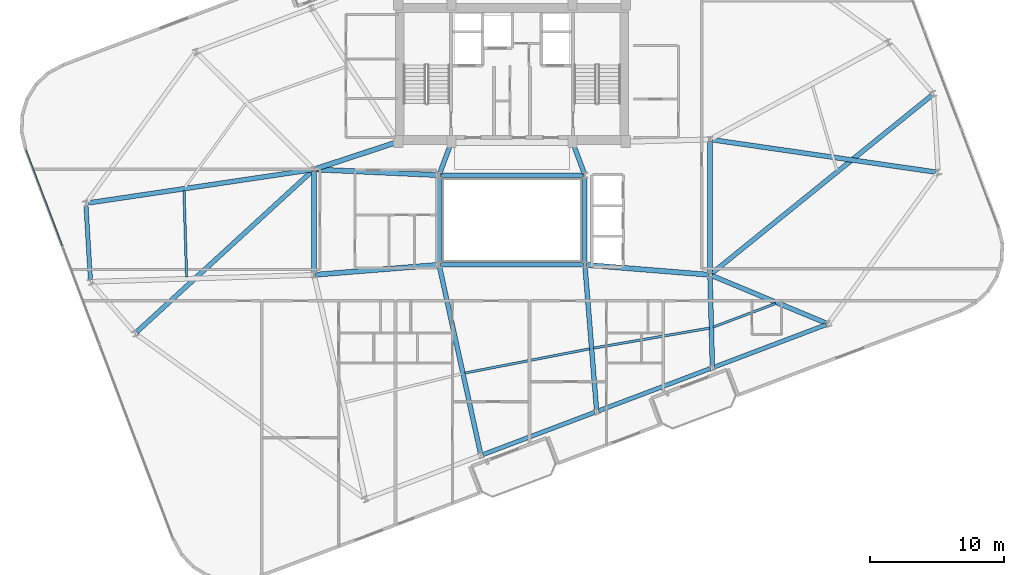
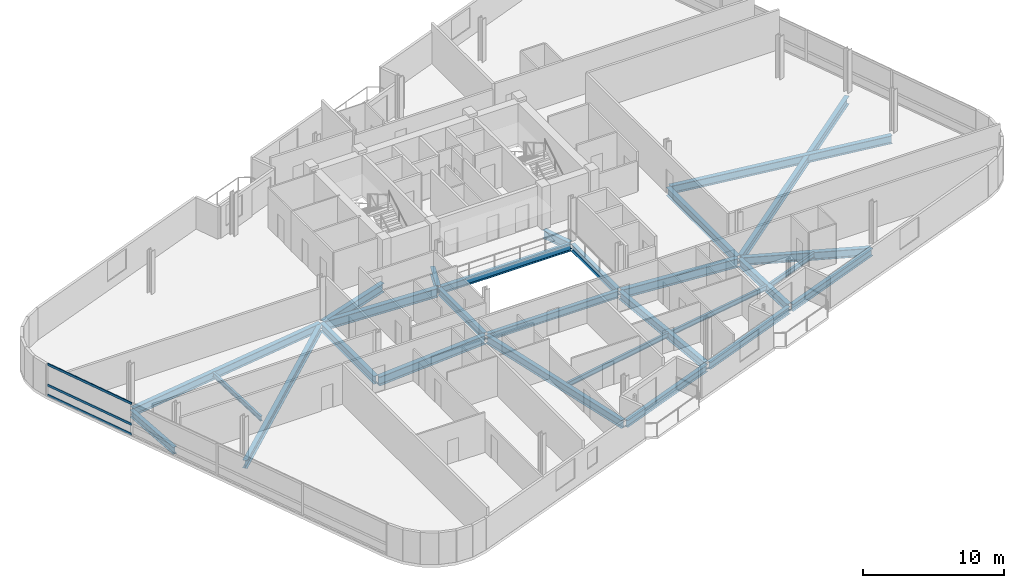
# One storey, part 7 of 20: 28 beams, 3 members, 1 element without a shape of its own.
"""IFC4 building model written with IfcOpenShell, lengths in metres."""

from ifc_helpers import new_model, si_unit, direction, frame, origin, origin_2d, place, context, subcontext, project, spatial, hollow_rectangle, i_section, extrude, material, layer, layer_set, material_profile, profile_set, type_object, element, aggregate, save


model = new_model("IFC4")

# Units and contexts
model_context = context("Model", 3, precision=1e-05, world=origin(), true_north=direction((0.0, 1.0)))
body_context = subcontext(model_context, "Body", "Model", "MODEL_VIEW")
ifc_project = project(units=[si_unit("LENGTHUNIT", "METRE"), si_unit("AREAUNIT", "SQUARE_METRE"), si_unit("VOLUMEUNIT", "CUBIC_METRE"), si_unit("PLANEANGLEUNIT", "RADIAN"), si_unit("MASSUNIT", "GRAM", prefix="KILO")], contexts=[model_context])

# Site, building, storey
site_placement = place(None, origin())
site = spatial("IfcSite", under=ifc_project, at=site_placement, CompositionType="ELEMENT")
building_placement = place(site_placement, origin())
building = spatial("IfcBuilding", under=site, at=building_placement, Name="Varnelok Gate Tower", CompositionType="ELEMENT")
storey_placement = place(building_placement, frame((0.0, 0.0, 220.10009765625)))
storey = spatial("IfcBuildingStorey", under=building, at=storey_placement, Name="L56", CompositionType="ELEMENT", Elevation=220.10009765625)

# Beams
ifc_material_1 = material(Name="Structural Steel ASTM A992 Grade 50", Category="steel")
ifc_material_profile_1 = material_profile(ifc_material_1, i_section(OverallWidth=0.180908203125, OverallDepth=0.4169921875, WebThickness=0.010986328125, FlangeThickness=0.018310546875, FilletRadius=0.013916015625, at=origin_2d()), Name="W16X57")
ifc_profile_set_1 = profile_set([ifc_material_profile_1], Name="Structural Steel ASTM A992 Grade 50")
beam_type_1 = type_object("IfcBeamType", Name="BM-JST-W16X57", PredefinedType="JOIST", material=ifc_profile_set_1)
beam_1_placement = place(storey_placement, frame((35.67138671875, 11.4560546875, -0.45849609375), z_axis=(0.981683548434, 0.190518793651, 0.0), x_axis=(-0.190518793651, 0.981683548434, 0.0)))
element("IfcBeam", 1, at=beam_1_placement, inside=storey, type_object=beam_type_1, Name="L56 Sector Floor Joist 2", PredefinedType="JOIST", context=body_context, shape_type="SweptSolid", body=[
    extrude(i_section(OverallWidth=0.180908203125, OverallDepth=0.4169921875, WebThickness=0.010986328125, FlangeThickness=0.018310546875, FilletRadius=0.013916015625, at=origin_2d()), origin(), (0.0, 0.0, 1.0), 9.517333984375),
])
beam_2_placement = place(storey_placement, frame((45.289794921875, 13.31982421875, -0.45849609375), z_axis=(0.985440255027, 0.170022068484, 0.0), x_axis=(-0.170022068484, 0.985440255027, 0.0)))
element("IfcBeam", 2, at=beam_2_placement, inside=storey, type_object=beam_type_1, Name="L56 Sector Floor Joist 3", PredefinedType="JOIST", context=body_context, shape_type="SweptSolid", body=[
    extrude(i_section(OverallWidth=0.180908203125, OverallDepth=0.4169921875, WebThickness=0.010986328125, FlangeThickness=0.018310546875, FilletRadius=0.013916015625, at=origin_2d()), origin(), (0.0, 0.0, 1.0), 8.8037109375),
])
beam_3_placement = place(storey_placement, frame((54.234375, 14.889892578125, -0.45849609375), z_axis=(0.935207052986, 0.354101352786, 0.0), x_axis=(-0.354101352786, 0.935207052986, 0.0)))
element("IfcBeam", 3, at=beam_3_placement, inside=storey, type_object=beam_type_1, Name="L56 Sector Floor Joist 4", PredefinedType="JOIST", context=body_context, shape_type="SweptSolid", body=[
    extrude(i_section(OverallWidth=0.180908203125, OverallDepth=0.4169921875, WebThickness=0.010986328125, FlangeThickness=0.018310546875, FilletRadius=0.013916015625, at=origin_2d()), origin(), (0.0, 0.0, 1.0), 4.992431640625),
])
beam_4_placement = place(storey_placement, frame((14.6826171875, 25.095947265625, -0.45849609375), z_axis=(0.029614672616, -0.999561389393, 0.0), x_axis=(0.999561389393, 0.029614672616, 0.0)))
element("IfcBeam", 4, at=beam_4_placement, inside=storey, type_object=beam_type_1, Name="L56 Sector Floor Joist 11", PredefinedType="JOIST", context=body_context, shape_type="SweptSolid", body=[
    extrude(i_section(OverallWidth=0.180908203125, OverallDepth=0.4169921875, WebThickness=0.010986328125, FlangeThickness=0.018310546875, FilletRadius=0.013916015625, at=origin_2d()), origin(), (0.0, 0.0, 1.0), 6.455078125),
])
ifc_material_profile_2 = material_profile(ifc_material_1, i_section(OverallWidth=0.35498046875, OverallDepth=0.696044921875, WebThickness=0.015380859375, FlangeThickness=0.02490234375, FilletRadius=0.02001953125, at=origin_2d()), Name="W27X146")
ifc_profile_set_2 = profile_set([ifc_material_profile_2], Name="Structural Steel ASTM A992 Grade 50")
beam_type_2 = type_object("IfcBeamType", Name="BM-PRI-W27X146", PredefinedType="BEAM", material=ifc_profile_set_2)
for number, where, z_axis, x_axis, name in (
    (5, (33.791748046875, 26.362548828125, -0.59814453125), (0.348719329408, 0.937227202602, 0.0), (-0.937227202602, 0.348719329408, 0.0), "L56 Core-Atrium Spine Beam 12"),
    (6, (44.608154296875, 26.362548828125, -0.59814453125), (-0.348719329408, 0.937227202602, 0.0), (-0.937227202602, -0.348719329408, 0.0), "L56 Core-Atrium Spine Beam 13"),
):
    element("IfcBeam", number, at=place(storey_placement, frame(where, z_axis=z_axis, x_axis=x_axis)), inside=storey, type_object=beam_type_2, Name=name, PredefinedType="BEAM", context=body_context, shape_type="SweptSolid", body=[
        extrude(i_section(OverallWidth=0.35498046875, OverallDepth=0.696044921875, WebThickness=0.015380859375, FlangeThickness=0.02490234375, FilletRadius=0.02001953125, at=origin_2d()), origin(), (0.0, 0.0, 1.0), 2.42724609375),
    ])
beam_5_placement = place(storey_placement, frame((24.39990234375, 18.919921875, -0.59814453125), z_axis=(0.0, 1.0, 0.0), x_axis=(-1.0, 0.0, 0.0)))
element("IfcBeam", 7, at=beam_5_placement, inside=storey, type_object=beam_type_2, Name="L56 Core-Atrium Spine Beam 16", PredefinedType="BEAM", context=body_context, shape_type="SweptSolid", body=[
    extrude(i_section(OverallWidth=0.35498046875, OverallDepth=0.696044921875, WebThickness=0.015380859375, FlangeThickness=0.02490234375, FilletRadius=0.02001953125, at=origin_2d()), origin(), (0.0, 0.0, 1.0), 7.64013671875),
])
beam_6_placement = place(storey_placement, frame((54.0, 18.919921875, -0.59814453125), z_axis=(0.0, 1.0, 0.0), x_axis=(-1.0, 0.0, 0.0)))
element("IfcBeam", 8, at=beam_6_placement, inside=storey, type_object=beam_type_2, Name="L56 Core-Atrium Spine Beam 20", PredefinedType="BEAM", context=body_context, shape_type="SweptSolid", body=[
    extrude(i_section(OverallWidth=0.35498046875, OverallDepth=0.696044921875, WebThickness=0.015380859375, FlangeThickness=0.02490234375, FilletRadius=0.02001953125, at=origin_2d()), origin(), (0.0, 0.0, 1.0), 9.880126953125),
])
beam_7_placement = place(storey_placement, frame((33.7822265625, 19.403564453125, -0.59814453125), z_axis=(0.214566745256, -0.976709328219, 0.0), x_axis=(0.976709328219, 0.214566745256, 0.0)))
element("IfcBeam", 9, at=beam_7_placement, inside=storey, type_object=beam_type_2, Name="L56 Radial Floor Girder 2", PredefinedType="BEAM", context=body_context, shape_type="SweptSolid", body=[
    extrude(i_section(OverallWidth=0.35498046875, OverallDepth=0.696044921875, WebThickness=0.015380859375, FlangeThickness=0.02490234375, FilletRadius=0.02001953125, at=origin_2d()), origin(), (0.0, 0.0, 1.0), 14.28662109375),
])
beam_8_placement = place(storey_placement, frame((44.662109375, 19.400390625, -0.59814453125), z_axis=(0.079989916961, -0.996795672736, 0.0), x_axis=(0.996795672736, 0.079989916961, 0.0)))
element("IfcBeam", 10, at=beam_8_placement, inside=storey, type_object=beam_type_2, Name="L56 Radial Floor Girder 3", PredefinedType="BEAM", context=body_context, shape_type="SweptSolid", body=[
    extrude(i_section(OverallWidth=0.35498046875, OverallDepth=0.696044921875, WebThickness=0.015380859375, FlangeThickness=0.02490234375, FilletRadius=0.02001953125, at=origin_2d()), origin(), (0.0, 0.0, 1.0), 10.70703125),
])
beam_9_placement = place(storey_placement, frame((54.00390625, 18.650146484375, -0.59814453125), z_axis=(0.026105842948, -0.999659184404, 0.0), x_axis=(0.999659184404, 0.026105842948, 0.0)))
element("IfcBeam", 11, at=beam_9_placement, inside=storey, type_object=beam_type_2, Name="L56 Radial Floor Girder 4", PredefinedType="BEAM", context=body_context, shape_type="SweptSolid", body=[
    extrude(i_section(OverallWidth=0.35498046875, OverallDepth=0.696044921875, WebThickness=0.015380859375, FlangeThickness=0.02490234375, FilletRadius=0.02001953125, at=origin_2d()), origin(), (0.0, 0.0, 1.0), 6.649169921875),
])
beam_10_placement = place(storey_placement, frame((54.138427734375, 18.742431640625, -0.59814453125), z_axis=(0.923393134815, -0.383855595995, 0.0), x_axis=(0.383855595995, 0.923393134815, 0.0)))
element("IfcBeam", 12, at=beam_10_placement, inside=storey, type_object=beam_type_2, Name="L56 Radial Floor Girder 5", PredefinedType="BEAM", context=body_context, shape_type="SweptSolid", body=[
    extrude(i_section(OverallWidth=0.35498046875, OverallDepth=0.696044921875, WebThickness=0.015380859375, FlangeThickness=0.02490234375, FilletRadius=0.02001953125, at=origin_2d()), origin(), (0.0, 0.0, 1.0), 9.264892578125),
])
beam_11_placement = place(storey_placement, frame((54.1484375, 28.8984375, -0.59814453125), z_axis=(0.989703475153, -0.143132914699, 0.0), x_axis=(0.143132914699, 0.989703475153, 0.0)))
element("IfcBeam", 13, at=beam_11_placement, inside=storey, type_object=beam_type_2, Name="L56 Radial Floor Girder 6", PredefinedType="BEAM", context=body_context, shape_type="SweptSolid", body=[
    extrude(i_section(OverallWidth=0.35498046875, OverallDepth=0.696044921875, WebThickness=0.015380859375, FlangeThickness=0.02490234375, FilletRadius=0.02001953125, at=origin_2d()), origin(), (0.0, 0.0, 1.0), 16.932373046875),
])
beam_12_placement = place(storey_placement, frame((54.11669921875, 18.894287109375, -0.59814453125), z_axis=(0.777332597566, 0.629089844745, 0.0), x_axis=(-0.629089844745, 0.777332597566, 0.0)))
element("IfcBeam", 14, at=beam_12_placement, inside=storey, type_object=beam_type_2, Name="L56 Radial Floor Girder 7", PredefinedType="BEAM", context=body_context, shape_type="SweptSolid", body=[
    extrude(i_section(OverallWidth=0.35498046875, OverallDepth=0.696044921875, WebThickness=0.015380859375, FlangeThickness=0.02490234375, FilletRadius=0.02001953125, at=origin_2d()), origin(), (0.0, 0.0, 1.0), 21.190673828125),
])
beam_13_placement = place(storey_placement, frame((24.251708984375, 26.657958984375, -0.59814453125), z_axis=(-0.989147373927, -0.146926759485, 0.0), x_axis=(0.146926759485, -0.989147373927, 0.0)))
element("IfcBeam", 15, at=beam_13_placement, inside=storey, type_object=beam_type_2, Name="L56 Radial Floor Girder 14", PredefinedType="BEAM", context=body_context, shape_type="SweptSolid", body=[
    extrude(i_section(OverallWidth=0.35498046875, OverallDepth=0.696044921875, WebThickness=0.015380859375, FlangeThickness=0.02490234375, FilletRadius=0.02001953125, at=origin_2d()), origin(), (0.0, 0.0, 1.0), 16.942138671875),
])
beam_14_placement = place(storey_placement, frame((24.289306640625, 26.57861328125, -0.59814453125), z_axis=(-0.737119491435, -0.675762425226, 0.0), x_axis=(0.675762425226, -0.737119491435, 0.0)))
element("IfcBeam", 16, at=beam_14_placement, inside=storey, type_object=beam_type_2, Name="L56 Radial Floor Girder 16", PredefinedType="BEAM", context=body_context, shape_type="SweptSolid", body=[
    extrude(i_section(OverallWidth=0.35498046875, OverallDepth=0.696044921875, WebThickness=0.015380859375, FlangeThickness=0.02490234375, FilletRadius=0.02001953125, at=origin_2d()), origin(), (0.0, 0.0, 1.0), 17.841796875),
])
ifc_material_profile_3 = material_profile(ifc_material_1, i_section(OverallWidth=0.381103515625, OverallDepth=0.77294921875, WebThickness=0.0166015625, FlangeThickness=0.027099609375, FilletRadius=0.02197265625, at=origin_2d()), Name="W30X173")
ifc_profile_set_3 = profile_set([ifc_material_profile_3], Name="Structural Steel ASTM A992 Grade 50")
beam_type_3 = type_object("IfcBeamType", Name="BM-PRI-W30X173", PredefinedType="BEAM", material=ifc_profile_set_3)
beam_15_placement = place(storey_placement, frame((24.51953125, 18.8095703125, -0.63671875), z_axis=(0.996799206292, 0.07994587128, 0.0), x_axis=(-0.07994587128, 0.996799206292, 0.0)))
element("IfcBeam", 17, at=beam_15_placement, inside=storey, type_object=beam_type_3, Name="L56 Core-Atrium Spine Beam 14", PredefinedType="BEAM", context=body_context, shape_type="SweptSolid", body=[
    extrude(i_section(OverallWidth=0.381103515625, OverallDepth=0.77294921875, WebThickness=0.0166015625, FlangeThickness=0.027099609375, FilletRadius=0.02197265625, at=origin_2d()), origin(), (0.0, 0.0, 1.0), 9.14013671875),
])
beam_16_placement = place(storey_placement, frame((24.52001953125, 26.674560546875, -0.63671875), z_axis=(0.99894427814, -0.045938319209, 0.0), x_axis=(0.045938319209, 0.99894427814, 0.0)))
element("IfcBeam", 18, at=beam_16_placement, inside=storey, type_object=beam_type_3, Name="L56 Core-Atrium Spine Beam 15", PredefinedType="BEAM", context=body_context, shape_type="SweptSolid", body=[
    extrude(i_section(OverallWidth=0.381103515625, OverallDepth=0.77294921875, WebThickness=0.0166015625, FlangeThickness=0.027099609375, FilletRadius=0.02197265625, at=origin_2d()), origin(), (0.0, 0.0, 1.0), 9.11962890625),
])
beam_17_placement = place(storey_placement, frame((24.513916015625, 26.717529296875, -0.63671875), z_axis=(0.950041943788, 0.312122259768, 0.0), x_axis=(-0.312122259768, 0.950041943788, 0.0)))
element("IfcBeam", 19, at=beam_17_placement, inside=storey, type_object=beam_type_3, Name="L56 Core-Atrium Spine Beam 17", PredefinedType="BEAM", context=body_context, shape_type="SweptSolid", body=[
    extrude(i_section(OverallWidth=0.381103515625, OverallDepth=0.77294921875, WebThickness=0.0166015625, FlangeThickness=0.027099609375, FilletRadius=0.02197265625, at=origin_2d()), origin(), (0.0, 0.0, 1.0), 6.391357421875),
])
beam_18_placement = place(storey_placement, frame((44.76953125, 19.540283203125, -0.63671875), z_axis=(0.996799206292, -0.07994587128, 0.0), x_axis=(0.07994587128, 0.996799206292, 0.0)))
element("IfcBeam", 20, at=beam_18_placement, inside=storey, type_object=beam_type_3, Name="L56 Core-Atrium Spine Beam 18", PredefinedType="BEAM", context=body_context, shape_type="SweptSolid", body=[
    extrude(i_section(OverallWidth=0.381103515625, OverallDepth=0.77294921875, WebThickness=0.0166015625, FlangeThickness=0.027099609375, FilletRadius=0.02197265625, at=origin_2d()), origin(), (0.0, 0.0, 1.0), 9.14013671875),
])
ifc_material_profile_4 = material_profile(ifc_material_1, i_section(OverallWidth=0.323974609375, OverallDepth=0.611083984375, WebThickness=0.0126953125, FlangeThickness=0.01904296875, FilletRadius=0.01806640625, at=origin_2d()), Name="W24X104")
ifc_profile_set_4 = profile_set([ifc_material_profile_4], Name="Structural Steel ASTM A992 Grade 50")
beam_type_4 = type_object("IfcBeamType", Name="BM-SPN-W24X104", PredefinedType="SPANDREL", material=ifc_profile_set_4)
for number, where, z_axis, x_axis, name in (
    (21, (33.8701171875, 19.550048828125, -0.5556640625), (1.0, 0.0, 0.0), (0.0, 1.0, 0.0), "L56 Core-Atrium Spine Beam 8"),
    (22, (33.8701171875, 26.25, -0.5556640625), (1.0, 0.0, 0.0), (0.0, 1.0, 0.0), "L56 Core-Atrium Spine Beam 9"),
):
    element("IfcBeam", number, at=place(storey_placement, frame(where, z_axis=z_axis, x_axis=x_axis)), inside=storey, type_object=beam_type_4, Name=name, PredefinedType="SPANDREL", context=body_context, shape_type="SweptSolid", body=[
        extrude(i_section(OverallWidth=0.323974609375, OverallDepth=0.611083984375, WebThickness=0.0126953125, FlangeThickness=0.01904296875, FilletRadius=0.01806640625, at=origin_2d()), origin(), (0.0, 0.0, 1.0), 10.659912109375),
    ])
for number, where, z_axis, x_axis, name in (
    (23, (33.75, 19.669921875, -0.5556640625), (0.0, 1.0, 0.0), (-1.0, 0.0, 0.0), "L56 Core-Atrium Spine Beam 10"),
    (24, (44.64990234375, 19.669921875, -0.5556640625), (0.0, 1.0, 0.0), (-1.0, 0.0, 0.0), "L56 Core-Atrium Spine Beam 11"),
):
    element("IfcBeam", number, at=place(storey_placement, frame(where, z_axis=z_axis, x_axis=x_axis)), inside=storey, type_object=beam_type_4, Name=name, PredefinedType="SPANDREL", context=body_context, shape_type="SweptSolid", body=[
        extrude(i_section(OverallWidth=0.323974609375, OverallDepth=0.611083984375, WebThickness=0.0126953125, FlangeThickness=0.01904296875, FilletRadius=0.01806640625, at=origin_2d()), origin(), (0.0, 0.0, 1.0), 6.4599609375),
    ])
beam_19_placement = place(storey_placement, frame((37.02001953125, 5.356201171875, -0.5556640625), z_axis=(0.935220356141, 0.354066216208, 0.0), x_axis=(-0.354066216208, 0.935220356141, 0.0)))
element("IfcBeam", 25, at=beam_19_placement, inside=storey, type_object=beam_type_4, Name="L56 Perimeter Spandrel Beam 2", PredefinedType="SPANDREL", context=body_context, shape_type="SweptSolid", body=[
    extrude(i_section(OverallWidth=0.323974609375, OverallDepth=0.611083984375, WebThickness=0.0126953125, FlangeThickness=0.01904296875, FilletRadius=0.01806640625, at=origin_2d()), origin(), (0.0, 0.0, 1.0), 8.9501953125),
])
for number, where, z_axis, x_axis, name in (
    (26, (45.6708984375, 8.63134765625, -0.5556640625), (0.935216936382, 0.354075248928, 0.0), (-0.354075248928, 0.935216936382, 0.0), "L56 Perimeter Spandrel Beam 3"),
    (27, (54.32177734375, 11.906494140625, -0.5556640625), (0.935225969099, 0.354051389947, 0.0), (-0.354051389947, 0.935225969099, 0.0), "L56 Perimeter Spandrel Beam 4"),
):
    element("IfcBeam", number, at=place(storey_placement, frame(where, z_axis=z_axis, x_axis=x_axis)), inside=storey, type_object=beam_type_4, Name=name, PredefinedType="SPANDREL", context=body_context, shape_type="SweptSolid", body=[
        extrude(i_section(OverallWidth=0.323974609375, OverallDepth=0.611083984375, WebThickness=0.0126953125, FlangeThickness=0.01904296875, FilletRadius=0.01806640625, at=origin_2d()), origin(), (0.0, 0.0, 1.0), 8.949951171875),
    ])
beam_20_placement = place(storey_placement, frame((7.353759765625, 23.996826171875, -0.5556640625), z_axis=(0.059497061762, -0.99822848068, 0.0), x_axis=(0.99822848068, 0.059497061762, 0.0)))
element("IfcBeam", 28, at=beam_20_placement, inside=storey, type_object=beam_type_4, Name="L56 Perimeter Spandrel Beam 14", PredefinedType="SPANDREL", context=body_context, shape_type="SweptSolid", body=[
    extrude(i_section(OverallWidth=0.323974609375, OverallDepth=0.611083984375, WebThickness=0.0126953125, FlangeThickness=0.01904296875, FilletRadius=0.01806640625, at=origin_2d()), origin(), (0.0, 0.0, 1.0), 5.576416015625),
])

# Curtain wall, members
ifc_material_2 = material(Name="Anodized Aluminum Alloy 6063-T6", Category="aluminium")
ifc_layer = layer(ifc_material_2, 0.179931640625)
ifc_layer_set = layer_set([ifc_layer], Name="Anodized Aluminum Alloy 6063-T6")
curtain_wall_type = type_object("IfcCurtainWallType", Name="CW4-RESIDENCE-VISION", PredefinedType="USERDEFINED", material=ifc_layer_set)
curtain_wall_placement = place(storey_placement, origin())
curtain_wall = element("IfcCurtainWall", 29, at=curtain_wall_placement, inside=storey, type_object=curtain_wall_type, Name="L56 West End Vision Curtain Wall", ObjectType="UNITISED CURTAIN WALL", PredefinedType="USERDEFINED")
ifc_material_profile_5 = material_profile(ifc_material_2, hollow_rectangle(XDim=0.074951171875, YDim=0.199951171875, WallThickness=0.00390625, at=origin_2d()), Name="ALU200X75X4")
ifc_profile_set_5 = profile_set([ifc_material_profile_5], Name="Anodized Aluminum Alloy 6063-T6")
member_type = type_object("IfcMemberType", Name="CW-TRAN-200", PredefinedType="USERDEFINED", material=ifc_profile_set_5)
member_1_placement = place(storey_placement, frame((5.60009765625, 20.9599609375, 0.037353515625), z_axis=(-0.354073041953, 0.935217771945, 0.0), x_axis=(-0.935217771945, -0.354073041953, 0.0)))
member_1 = element("IfcMember", 30, at=member_1_placement, type_object=member_type, Name="CW4 transom 4.1", ObjectType="TRANSOM", PredefinedType="USERDEFINED", context=body_context, shape_type="SweptSolid", body=[
    extrude(hollow_rectangle(XDim=0.074951171875, YDim=0.199951171875, WallThickness=0.00390625, at=origin_2d()), origin(), (0.0, 0.0, 1.0), 7.6875),
])
member_2_placement = place(storey_placement, frame((5.60009765625, 20.9599609375, 0.89990234375), z_axis=(-0.354073041953, 0.935217771945, 0.0), x_axis=(-0.935217771945, -0.354073041953, 0.0)))
member_2 = element("IfcMember", 31, at=member_2_placement, type_object=member_type, Name="CW4 transom 4.2", ObjectType="TRANSOM", PredefinedType="USERDEFINED", context=body_context, shape_type="SweptSolid", body=[
    extrude(hollow_rectangle(XDim=0.074951171875, YDim=0.199951171875, WallThickness=0.00390625, at=origin_2d()), origin(), (0.0, 0.0, 1.0), 7.6875),
])
member_3_placement = place(storey_placement, frame((5.60009765625, 20.9599609375, 2.6923828125), z_axis=(-0.354073041953, 0.935217771945, 0.0), x_axis=(-0.935217771945, -0.354073041953, 0.0)))
member_3 = element("IfcMember", 32, at=member_3_placement, type_object=member_type, Name="CW4 transom 4.3", ObjectType="TRANSOM", PredefinedType="USERDEFINED", context=body_context, shape_type="SweptSolid", body=[
    extrude(hollow_rectangle(XDim=0.074951171875, YDim=0.199951171875, WallThickness=0.00390625, at=origin_2d()), origin(), (0.0, 0.0, 1.0), 7.6875),
])
aggregate(curtain_wall, [member_1, member_2, member_3])

save(model, "model.ifc")
